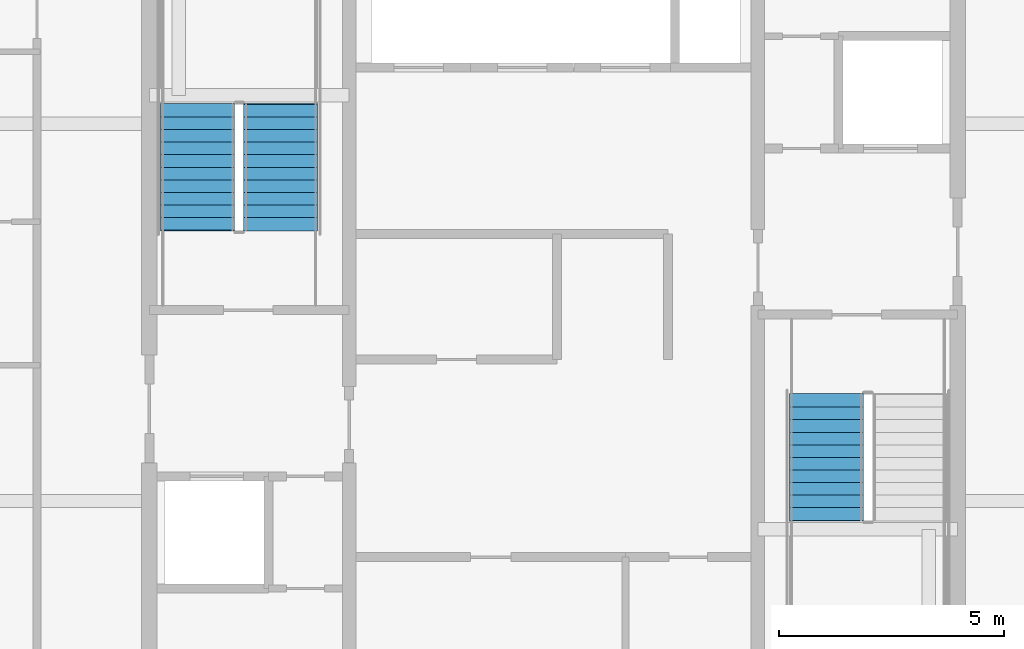
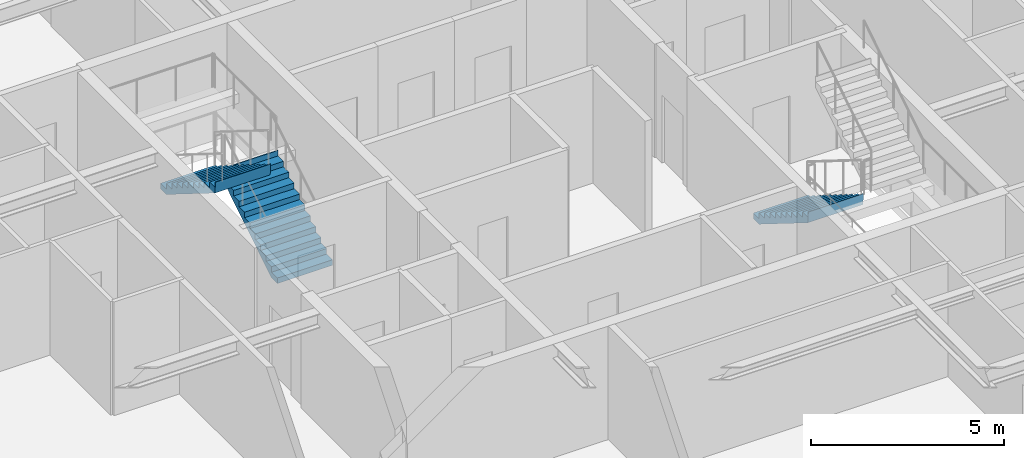
# One storey, part 29 of 35: 3 stair flights, 2 elements without a shape of their own.
"""IFC4 building model written with IfcOpenShell, lengths in metres."""

import ifcopenshell
import ifcopenshell.guid

model = None  # the IFC model being written
_history = None  # IfcOwnerHistory: only IFC2X3 demands one
_inside = {}  # id of a spatial element -> (the spatial element, [elements in it])
_under = {}  # id of a project, library or spatial element -> (it, [spatial elements below it])
_declared = {}  # id of a project -> (the project, [libraries it declares])
_typed = {}  # id of a type object -> (the type object, [elements of that type])
_made_of = {}  # id of a material, layer set ... -> (it, [elements and type objects made of it])


def new_model(schema):
    """Start an empty IFC model of exactly this schema.

    Asked for "IFC4X3", IfcOpenShell would pick the latest addendum, in which some entities
    have other attributes; the version numbers below select the first issue.
    IFC2X3 requires an IfcOwnerHistory on every rooted entity: one is made here for all.
    """
    global model, _history
    if schema == "IFC4X3":
        model = ifcopenshell.file(schema_version=(4, 3, 0, 0))
    else:
        model = ifcopenshell.file(schema=schema)
    _inside.clear()
    _under.clear()
    _declared.clear()
    _typed.clear()
    _made_of.clear()
    _history = None
    if model.schema == "IFC2X3":
        org = make("IfcOrganization", Name="unknown")
        user = make(
            "IfcPersonAndOrganization",
            ThePerson=make("IfcPerson", FamilyName="unknown"),
            TheOrganization=org,
        )
        app = make(
            "IfcApplication",
            ApplicationDeveloper=org,
            Version="unknown",
            ApplicationFullName="unknown",
            ApplicationIdentifier="unknown",
        )
        _history = make(
            "IfcOwnerHistory",
            OwningUser=user,
            OwningApplication=app,
            ChangeAction="ADDED",
            CreationDate=0,
        )
    return model


def make(cls, **values):
    """One entity of the class cls with the attributes given. An attribute that is None is left unset."""
    return model.create_entity(
        cls, **{name: value for name, value in values.items() if value is not None}
    )


def rooted(cls, **values):
    """An entity with a GlobalId (a new one), such as an element, a storey or a relation."""
    return make(cls, GlobalId=ifcopenshell.guid.new(), OwnerHistory=_history, **values)


def si_unit(unit_type, name, prefix=None):
    """IfcSIUnit, for example si_unit("LENGTHUNIT", "METRE", prefix="MILLI")."""
    return make("IfcSIUnit", UnitType=unit_type, Prefix=prefix, Name=name)


def assignment(units):
    """IfcUnitAssignment: the units of a project."""
    return None if units is None else make("IfcUnitAssignment", Units=units)


def point(xyz):
    """IfcCartesianPoint."""
    return None if xyz is None else make("IfcCartesianPoint", Coordinates=xyz)


def direction(xyz):
    """IfcDirection."""
    return None if xyz is None else make("IfcDirection", DirectionRatios=xyz)


def frame(location, z_axis=None, x_axis=None):
    """IfcAxis2Placement3D, a coordinate frame: its origin and axes. An axis left out is left unset."""
    return make(
        "IfcAxis2Placement3D",
        Location=point(location),
        Axis=direction(z_axis),
        RefDirection=direction(x_axis),
    )


def origin():
    """The frame at (0, 0, 0) with its axes left unset."""
    return frame((0.0, 0.0, 0.0))


def place(relative_to, where):
    """IfcLocalPlacement: puts the frame where relative to a parent placement (None: the world)."""
    return make(
        "IfcLocalPlacement", PlacementRelTo=relative_to, RelativePlacement=where
    )


def context(
    kind, dimensions, precision=None, world=None, true_north=None, identifier=None
):
    """IfcGeometricRepresentationContext, for example the 3D "Model" context."""
    return make(
        "IfcGeometricRepresentationContext",
        ContextIdentifier=identifier,
        ContextType=kind,
        CoordinateSpaceDimension=dimensions,
        Precision=precision,
        WorldCoordinateSystem=world,
        TrueNorth=true_north,
    )


def subcontext(parent, identifier, kind, view, scale=None):
    """IfcGeometricRepresentationSubContext, for example "Body" below "Model"."""
    return make(
        "IfcGeometricRepresentationSubContext",
        ContextIdentifier=identifier,
        ContextType=kind,
        ParentContext=parent,
        TargetScale=scale,
        TargetView=view,
    )


def project(units=None, contexts=None):
    """IfcProject with its units and contexts."""
    return rooted(
        "IfcProject",
        Name="project",
        RepresentationContexts=contexts,
        UnitsInContext=assignment(units),
    )


def spatial(cls, under=None, at=None, **own):
    """A site, building, storey or space (cls), placed at a placement, below another one or the project."""
    s = rooted(cls, ObjectPlacement=at, **own)
    if under is not None:
        _under.setdefault(under.id(), (under, []))[1].append(s)
    return s


def point_list(points):
    """IfcCartesianPointList2D or 3D."""
    cls = (
        "IfcCartesianPointList2D" if len(points[0]) == 2 else "IfcCartesianPointList3D"
    )
    return make(cls, CoordList=points)


def polygons(points, faces, closed=None, point_numbers=None):
    """IfcPolygonalFaceSet: a face is its outer loop, then its inner loops; points numbered from 1."""
    made = []
    for loops in faces:
        if len(loops) == 1:
            made.append(make("IfcIndexedPolygonalFace", CoordIndex=loops[0]))
        else:
            made.append(
                make(
                    "IfcIndexedPolygonalFaceWithVoids",
                    CoordIndex=loops[0],
                    InnerCoordIndices=loops[1:],
                )
            )
    return make(
        "IfcPolygonalFaceSet",
        Coordinates=point_list(points),
        Closed=closed,
        Faces=made,
        PnIndex=point_numbers,
    )


def shape(context_of_items, identifier, shape_type, items):
    """IfcShapeRepresentation: the items that make up one representation, for example the "Body"."""
    return make(
        "IfcShapeRepresentation",
        ContextOfItems=context_of_items,
        RepresentationIdentifier=identifier,
        RepresentationType=shape_type,
        Items=items,
    )


def material(Name=None, Category=None):
    """IfcMaterial."""
    return make("IfcMaterial", Name=Name, Category=Category)


def made_of(thing, what):
    """Note that an element or type object is made of a material, layer set ...; save() writes the relation."""
    if what is not None:
        _made_of.setdefault(what.id(), (what, []))[1].append(thing)
    return thing


def type_object(cls, material=None, **own):
    """A type object (cls), such as IfcWallType, which elements share."""
    return made_of(rooted(cls, **own), material)


def element(
    cls,
    number,
    at=None,
    inside=None,
    cuts=None,
    type_object=None,
    material=None,
    context=None,
    identifier="Body",
    shape_type=None,
    held_by="IfcProductDefinitionShape",
    body=None,
    shapes=None,
    **own,
):
    """One element of the class cls, such as IfcWall. Its Tag is "e" and its number.

    at: its placement. inside: the storey or other place that contains it. cuts: it is an
    opening in that element (IfcRelVoidsElement). A single representation is given by context,
    identifier, shape_type and body (its items); several are given by shapes. held_by: the class
    of the entity that holds the representations. save() writes the other relations.
    """
    e = rooted(cls, Tag="e%d" % number, ObjectPlacement=at, **own)
    if body is not None:
        shapes = [shape(context, identifier, shape_type, body)]
    if shapes is not None:
        e.Representation = make(held_by, Representations=shapes)
    if inside is not None:
        _inside.setdefault(inside.id(), (inside, []))[1].append(e)
    if cuts is not None:
        rooted(
            "IfcRelVoidsElement", RelatingBuildingElement=cuts, RelatedOpeningElement=e
        )
    if type_object is not None:
        _typed.setdefault(type_object.id(), (type_object, []))[1].append(e)
    return made_of(e, material)


def aggregate(whole, parts):
    """IfcRelAggregates: a whole, such as a stair, and the parts it consists of."""
    return rooted("IfcRelAggregates", RelatingObject=whole, RelatedObjects=parts)


def save(model, path):
    """Write the relations noted so far, then the file.

    IfcRelAggregates (storeys below a building ...), IfcRelContainedInSpatialStructure (elements
    in a storey), IfcRelDefinesByType, IfcRelAssociatesMaterial and IfcRelDeclares: one each for
    every whole, place, type object, material and project.
    """
    for whole, parts in _under.values():
        aggregate(whole, parts)
    for where, things in _inside.values():
        rooted(
            "IfcRelContainedInSpatialStructure",
            RelatedElements=things,
            RelatingStructure=where,
        )
    for kind, things in _typed.values():
        rooted("IfcRelDefinesByType", RelatedObjects=things, RelatingType=kind)
    for what, things in _made_of.values():
        rooted("IfcRelAssociatesMaterial", RelatedObjects=things, RelatingMaterial=what)
    for by, libraries in _declared.values():
        rooted("IfcRelDeclares", RelatingContext=by, RelatedDefinitions=libraries)
    model.write(path)


model = new_model("IFC4")

# Units and contexts
model_context = context("Model", 3, precision=1e-05, world=origin(), true_north=direction((0.0, 1.0)))
body_context = subcontext(model_context, "Body", "Model", "MODEL_VIEW")
ifc_project = project(units=[si_unit("LENGTHUNIT", "METRE"), si_unit("AREAUNIT", "SQUARE_METRE"), si_unit("VOLUMEUNIT", "CUBIC_METRE"), si_unit("PLANEANGLEUNIT", "RADIAN"), si_unit("MASSUNIT", "GRAM", prefix="KILO")], contexts=[model_context])

# Site, building, storey
site_placement = place(None, origin())
site = spatial("IfcSite", under=ifc_project, at=site_placement, CompositionType="ELEMENT")
building_placement = place(site_placement, origin())
building = spatial("IfcBuilding", under=site, at=building_placement, Name="Serunith Strait Residences", CompositionType="ELEMENT")
storey_placement = place(building_placement, frame((0.0, 0.0, 214.300048828125)))
storey = spatial("IfcBuildingStorey", under=building, at=storey_placement, Name="L53", CompositionType="ELEMENT", Elevation=214.300048828125)

# Stair, stair flights
ifc_material = material(Name="Concrete C50/60", Category="concrete")
stair_type_1 = type_object("IfcStairType", Name="STR-CORE-1", PredefinedType="HALF_TURN_STAIR", material=ifc_material)
stair_1_placement = place(storey_placement, origin())
stair_1 = element("IfcStair", 1, at=stair_1_placement, inside=storey, type_object=stair_type_1, Name="L53 Protected Escape Stair ST-1", PredefinedType="HALF_TURN_STAIR")
stair_flight_type_1 = type_object("IfcStairFlightType", Name="FLT-CORE-1", PredefinedType="STRAIGHT", material=ifc_material)
stair_flight_1_placement = place(storey_placement, frame((26.324951171875, 27.030029296875, 0.0), z_axis=(0.0, 0.0, 1.0), x_axis=(0.0, 1.0, 0.0)))
stair_flight_1 = element("IfcStairFlight", 2, at=stair_flight_1_placement, type_object=stair_flight_type_1, Name="ST-1 flight 1", NumberOfRisers=11, NumberOfTreads=10, PredefinedType="STRAIGHT", RiserHeight=0.175, TreadLength=0.28, context=body_context, shape_type="Tessellation", body=[
    polygons([(-0.02001953125, -0.824951171875, 0.0), (-0.02001953125, -0.824951171875, 0.175048828125), (0.280029296875, -0.824951171875, 0.175048828125), (0.280029296875, -0.824951171875, 0.35009765625), (0.56005859375, -0.824951171875, 0.35009765625), (0.56005859375, -0.824951171875, 0.52490234375), (0.840087890625, -0.824951171875, 0.52490234375), (0.840087890625, -0.824951171875, 0.699951171875), (1.1201171875, -0.824951171875, 0.699951171875), (1.1201171875, -0.824951171875, 0.875), (1.39990234375, -0.824951171875, 0.875), (1.39990234375, -0.824951171875, 1.050048828125), (1.679931640625, -0.824951171875, 1.050048828125), (1.679931640625, -0.824951171875, 1.22509765625), (1.9599609375, -0.824951171875, 1.22509765625), (1.9599609375, -0.824951171875, 1.39990234375), (2.239990234375, -0.824951171875, 1.39990234375), (2.239990234375, -0.824951171875, 1.574951171875), (2.52001953125, -0.824951171875, 1.574951171875), (2.52001953125, -0.824951171875, 1.75), (2.800048828125, -0.824951171875, 1.75), (2.800048828125, -0.824951171875, 1.925048828125), (2.820068359375, -0.824951171875, 1.925048828125), (2.820068359375, -0.824951171875, 1.864990234375), (2.800048828125, -0.824951171875, 1.5732421875), (0.28271484375, -0.824951171875, 0.0), (-0.02001953125, -0.41259765625, 0.0), (-0.02001953125, -0.41259765625, 0.175048828125), (0.280029296875, -0.41259765625, 0.175048828125), (0.280029296875, -0.41259765625, 0.35009765625), (0.56005859375, -0.41259765625, 0.35009765625), (0.56005859375, -0.41259765625, 0.52490234375), (0.840087890625, -0.41259765625, 0.52490234375), (0.840087890625, -0.41259765625, 0.699951171875), (1.1201171875, -0.41259765625, 0.699951171875), (1.1201171875, -0.41259765625, 0.875), (1.39990234375, -0.41259765625, 0.875), (1.39990234375, -0.41259765625, 1.050048828125), (1.679931640625, -0.41259765625, 1.050048828125), (1.679931640625, -0.41259765625, 1.22509765625), (1.9599609375, -0.41259765625, 1.22509765625), (1.9599609375, -0.41259765625, 1.39990234375), (2.239990234375, -0.41259765625, 1.39990234375), (2.239990234375, -0.41259765625, 1.574951171875), (2.52001953125, -0.41259765625, 1.574951171875), (2.52001953125, -0.41259765625, 1.75), (2.800048828125, -0.41259765625, 1.75), (2.800048828125, -0.41259765625, 1.925048828125), (2.820068359375, -0.41259765625, 1.925048828125), (2.820068359375, -0.41259765625, 1.864990234375), (2.800048828125, -0.41259765625, 1.5732421875), (0.28271484375, -0.41259765625, 0.0), (-0.02001953125, 0.0, 0.0), (-0.02001953125, 0.0, 0.175048828125), (0.280029296875, 0.0, 0.175048828125), (0.280029296875, 0.0, 0.35009765625), (0.56005859375, 0.0, 0.35009765625), (0.56005859375, 0.0, 0.52490234375), (0.840087890625, 0.0, 0.52490234375), (0.840087890625, 0.0, 0.699951171875), (1.1201171875, 0.0, 0.699951171875), (1.1201171875, 0.0, 0.875), (1.39990234375, 0.0, 0.875), (1.39990234375, 0.0, 1.050048828125), (1.679931640625, 0.0, 1.050048828125), (1.679931640625, 0.0, 1.22509765625), (1.9599609375, 0.0, 1.22509765625), (1.9599609375, 0.0, 1.39990234375), (2.239990234375, 0.0, 1.39990234375), (2.239990234375, 0.0, 1.574951171875), (2.52001953125, 0.0, 1.574951171875), (2.52001953125, 0.0, 1.75), (2.800048828125, 0.0, 1.75), (2.800048828125, 0.0, 1.925048828125), (2.820068359375, 0.0, 1.925048828125), (2.820068359375, 0.0, 1.864990234375), (2.800048828125, 0.0, 1.5732421875), (0.28271484375, 0.0, 0.0), (-0.02001953125, 0.41259765625, 0.0), (-0.02001953125, 0.41259765625, 0.175048828125), (0.280029296875, 0.41259765625, 0.175048828125), (0.280029296875, 0.41259765625, 0.35009765625), (0.56005859375, 0.41259765625, 0.35009765625), (0.56005859375, 0.41259765625, 0.52490234375), (0.840087890625, 0.41259765625, 0.52490234375), (0.840087890625, 0.41259765625, 0.699951171875), (1.1201171875, 0.41259765625, 0.699951171875), (1.1201171875, 0.41259765625, 0.875), (1.39990234375, 0.41259765625, 0.875), (1.39990234375, 0.41259765625, 1.050048828125), (1.679931640625, 0.41259765625, 1.050048828125), (1.679931640625, 0.41259765625, 1.22509765625), (1.9599609375, 0.41259765625, 1.22509765625), (1.9599609375, 0.41259765625, 1.39990234375), (2.239990234375, 0.41259765625, 1.39990234375), (2.239990234375, 0.41259765625, 1.574951171875), (2.52001953125, 0.41259765625, 1.574951171875), (2.52001953125, 0.41259765625, 1.75), (2.800048828125, 0.41259765625, 1.75), (2.800048828125, 0.41259765625, 1.925048828125), (2.820068359375, 0.41259765625, 1.925048828125), (2.820068359375, 0.41259765625, 1.864990234375), (2.800048828125, 0.41259765625, 1.5732421875), (0.28271484375, 0.41259765625, 0.0), (-0.02001953125, 0.824951171875, 0.0), (-0.02001953125, 0.824951171875, 0.175048828125), (0.280029296875, 0.824951171875, 0.175048828125), (0.280029296875, 0.824951171875, 0.35009765625), (0.56005859375, 0.824951171875, 0.35009765625), (0.56005859375, 0.824951171875, 0.52490234375), (0.840087890625, 0.824951171875, 0.52490234375), (0.840087890625, 0.824951171875, 0.699951171875), (1.1201171875, 0.824951171875, 0.699951171875), (1.1201171875, 0.824951171875, 0.875), (1.39990234375, 0.824951171875, 0.875), (1.39990234375, 0.824951171875, 1.050048828125), (1.679931640625, 0.824951171875, 1.050048828125), (1.679931640625, 0.824951171875, 1.22509765625), (1.9599609375, 0.824951171875, 1.22509765625), (1.9599609375, 0.824951171875, 1.39990234375), (2.239990234375, 0.824951171875, 1.39990234375), (2.239990234375, 0.824951171875, 1.574951171875), (2.52001953125, 0.824951171875, 1.574951171875), (2.52001953125, 0.824951171875, 1.75), (2.800048828125, 0.824951171875, 1.75), (2.800048828125, 0.824951171875, 1.925048828125), (2.820068359375, 0.824951171875, 1.925048828125), (2.820068359375, 0.824951171875, 1.864990234375), (2.800048828125, 0.824951171875, 1.5732421875), (0.28271484375, 0.824951171875, 0.0)], [[[1, 2, 28, 27]], [[2, 3, 29, 28]], [[3, 4, 30, 29]], [[4, 5, 31, 30]], [[5, 6, 32, 31]], [[6, 7, 33, 32]], [[7, 8, 34, 33]], [[8, 9, 35, 34]], [[9, 10, 36, 35]], [[10, 11, 37, 36]], [[11, 12, 38, 37]], [[12, 13, 39, 38]], [[13, 14, 40, 39]], [[14, 15, 41, 40]], [[15, 16, 42, 41]], [[16, 17, 43, 42]], [[17, 18, 44, 43]], [[18, 19, 45, 44]], [[19, 20, 46, 45]], [[20, 21, 47, 46]], [[21, 22, 48, 47]], [[22, 23, 49, 48]], [[23, 24, 50, 49]], [[24, 25, 51, 50]], [[25, 26, 52, 51]], [[26, 1, 27, 52]], [[27, 28, 54, 53]], [[28, 29, 55, 54]], [[29, 30, 56, 55]], [[30, 31, 57, 56]], [[31, 32, 58, 57]], [[32, 33, 59, 58]], [[33, 34, 60, 59]], [[34, 35, 61, 60]], [[35, 36, 62, 61]], [[36, 37, 63, 62]], [[37, 38, 64, 63]], [[38, 39, 65, 64]], [[39, 40, 66, 65]], [[40, 41, 67, 66]], [[41, 42, 68, 67]], [[42, 43, 69, 68]], [[43, 44, 70, 69]], [[44, 45, 71, 70]], [[45, 46, 72, 71]], [[46, 47, 73, 72]], [[47, 48, 74, 73]], [[48, 49, 75, 74]], [[49, 50, 76, 75]], [[50, 51, 77, 76]], [[51, 52, 78, 77]], [[52, 27, 53, 78]], [[53, 54, 80, 79]], [[54, 55, 81, 80]], [[55, 56, 82, 81]], [[56, 57, 83, 82]], [[57, 58, 84, 83]], [[58, 59, 85, 84]], [[59, 60, 86, 85]], [[60, 61, 87, 86]], [[61, 62, 88, 87]], [[62, 63, 89, 88]], [[63, 64, 90, 89]], [[64, 65, 91, 90]], [[65, 66, 92, 91]], [[66, 67, 93, 92]], [[67, 68, 94, 93]], [[68, 69, 95, 94]], [[69, 70, 96, 95]], [[70, 71, 97, 96]], [[71, 72, 98, 97]], [[72, 73, 99, 98]], [[73, 74, 100, 99]], [[74, 75, 101, 100]], [[75, 76, 102, 101]], [[76, 77, 103, 102]], [[77, 78, 104, 103]], [[78, 53, 79, 104]], [[79, 80, 106, 105]], [[80, 81, 107, 106]], [[81, 82, 108, 107]], [[82, 83, 109, 108]], [[83, 84, 110, 109]], [[84, 85, 111, 110]], [[85, 86, 112, 111]], [[86, 87, 113, 112]], [[87, 88, 114, 113]], [[88, 89, 115, 114]], [[89, 90, 116, 115]], [[90, 91, 117, 116]], [[91, 92, 118, 117]], [[92, 93, 119, 118]], [[93, 94, 120, 119]], [[94, 95, 121, 120]], [[95, 96, 122, 121]], [[96, 97, 123, 122]], [[97, 98, 124, 123]], [[98, 99, 125, 124]], [[99, 100, 126, 125]], [[100, 101, 127, 126]], [[101, 102, 128, 127]], [[102, 103, 129, 128]], [[103, 104, 130, 129]], [[104, 79, 105, 130]], [[26, 25, 24, 23, 22, 21, 20, 19, 18, 17, 16, 15, 14, 13, 12, 11, 10, 9, 8, 7, 6, 5, 4, 3, 2, 1]], [[105, 106, 107, 108, 109, 110, 111, 112, 113, 114, 115, 116, 117, 118, 119, 120, 121, 122, 123, 124, 125, 126, 127, 128, 129, 130]]], closed=True),
])
stair_flight_2_placement = place(storey_placement, frame((24.47509765625, 29.830078125, 1.925048828125), z_axis=(0.0, 0.0, 1.0), x_axis=(0.0, -1.0, 0.0)))
stair_flight_2 = element("IfcStairFlight", 3, at=stair_flight_2_placement, type_object=stair_flight_type_1, Name="ST-1 flight 2", NumberOfRisers=11, NumberOfTreads=10, PredefinedType="STRAIGHT", RiserHeight=0.175, TreadLength=0.28, context=body_context, shape_type="Tessellation", body=[
    polygons([(-0.02001953125, -0.824951171875, 0.0), (-0.02001953125, -0.824951171875, 0.175048828125), (0.280029296875, -0.824951171875, 0.175048828125), (0.280029296875, -0.824951171875, 0.35009765625), (0.56005859375, -0.824951171875, 0.35009765625), (0.56005859375, -0.824951171875, 0.52490234375), (0.840087890625, -0.824951171875, 0.52490234375), (0.840087890625, -0.824951171875, 0.699951171875), (1.1201171875, -0.824951171875, 0.699951171875), (1.1201171875, -0.824951171875, 0.875), (1.39990234375, -0.824951171875, 0.875), (1.39990234375, -0.824951171875, 1.050048828125), (1.679931640625, -0.824951171875, 1.050048828125), (1.679931640625, -0.824951171875, 1.22509765625), (1.9599609375, -0.824951171875, 1.22509765625), (1.9599609375, -0.824951171875, 1.39990234375), (2.239990234375, -0.824951171875, 1.39990234375), (2.239990234375, -0.824951171875, 1.574951171875), (2.52001953125, -0.824951171875, 1.574951171875), (2.52001953125, -0.824951171875, 1.75), (2.800048828125, -0.824951171875, 1.75), (2.800048828125, -0.824951171875, 1.925048828125), (2.820068359375, -0.824951171875, 1.925048828125), (2.820068359375, -0.824951171875, 1.864990234375), (2.800048828125, -0.824951171875, 1.5732421875), (0.28271484375, -0.824951171875, 0.0), (-0.02001953125, -0.41259765625, 0.0), (-0.02001953125, -0.41259765625, 0.175048828125), (0.280029296875, -0.41259765625, 0.175048828125), (0.280029296875, -0.41259765625, 0.35009765625), (0.56005859375, -0.41259765625, 0.35009765625), (0.56005859375, -0.41259765625, 0.52490234375), (0.840087890625, -0.41259765625, 0.52490234375), (0.840087890625, -0.41259765625, 0.699951171875), (1.1201171875, -0.41259765625, 0.699951171875), (1.1201171875, -0.41259765625, 0.875), (1.39990234375, -0.41259765625, 0.875), (1.39990234375, -0.41259765625, 1.050048828125), (1.679931640625, -0.41259765625, 1.050048828125), (1.679931640625, -0.41259765625, 1.22509765625), (1.9599609375, -0.41259765625, 1.22509765625), (1.9599609375, -0.41259765625, 1.39990234375), (2.239990234375, -0.41259765625, 1.39990234375), (2.239990234375, -0.41259765625, 1.574951171875), (2.52001953125, -0.41259765625, 1.574951171875), (2.52001953125, -0.41259765625, 1.75), (2.800048828125, -0.41259765625, 1.75), (2.800048828125, -0.41259765625, 1.925048828125), (2.820068359375, -0.41259765625, 1.925048828125), (2.820068359375, -0.41259765625, 1.864990234375), (2.800048828125, -0.41259765625, 1.5732421875), (0.28271484375, -0.41259765625, 0.0), (-0.02001953125, 0.0, 0.0), (-0.02001953125, 0.0, 0.175048828125), (0.280029296875, 0.0, 0.175048828125), (0.280029296875, 0.0, 0.35009765625), (0.56005859375, 0.0, 0.35009765625), (0.56005859375, 0.0, 0.52490234375), (0.840087890625, 0.0, 0.52490234375), (0.840087890625, 0.0, 0.699951171875), (1.1201171875, 0.0, 0.699951171875), (1.1201171875, 0.0, 0.875), (1.39990234375, 0.0, 0.875), (1.39990234375, 0.0, 1.050048828125), (1.679931640625, 0.0, 1.050048828125), (1.679931640625, 0.0, 1.22509765625), (1.9599609375, 0.0, 1.22509765625), (1.9599609375, 0.0, 1.39990234375), (2.239990234375, 0.0, 1.39990234375), (2.239990234375, 0.0, 1.574951171875), (2.52001953125, 0.0, 1.574951171875), (2.52001953125, 0.0, 1.75), (2.800048828125, 0.0, 1.75), (2.800048828125, 0.0, 1.925048828125), (2.820068359375, 0.0, 1.925048828125), (2.820068359375, 0.0, 1.864990234375), (2.800048828125, 0.0, 1.5732421875), (0.28271484375, 0.0, 0.0), (-0.02001953125, 0.41259765625, 0.0), (-0.02001953125, 0.41259765625, 0.175048828125), (0.280029296875, 0.41259765625, 0.175048828125), (0.280029296875, 0.41259765625, 0.35009765625), (0.56005859375, 0.41259765625, 0.35009765625), (0.56005859375, 0.41259765625, 0.52490234375), (0.840087890625, 0.41259765625, 0.52490234375), (0.840087890625, 0.41259765625, 0.699951171875), (1.1201171875, 0.41259765625, 0.699951171875), (1.1201171875, 0.41259765625, 0.875), (1.39990234375, 0.41259765625, 0.875), (1.39990234375, 0.41259765625, 1.050048828125), (1.679931640625, 0.41259765625, 1.050048828125), (1.679931640625, 0.41259765625, 1.22509765625), (1.9599609375, 0.41259765625, 1.22509765625), (1.9599609375, 0.41259765625, 1.39990234375), (2.239990234375, 0.41259765625, 1.39990234375), (2.239990234375, 0.41259765625, 1.574951171875), (2.52001953125, 0.41259765625, 1.574951171875), (2.52001953125, 0.41259765625, 1.75), (2.800048828125, 0.41259765625, 1.75), (2.800048828125, 0.41259765625, 1.925048828125), (2.820068359375, 0.41259765625, 1.925048828125), (2.820068359375, 0.41259765625, 1.864990234375), (2.800048828125, 0.41259765625, 1.5732421875), (0.28271484375, 0.41259765625, 0.0), (-0.02001953125, 0.824951171875, 0.0), (-0.02001953125, 0.824951171875, 0.175048828125), (0.280029296875, 0.824951171875, 0.175048828125), (0.280029296875, 0.824951171875, 0.35009765625), (0.56005859375, 0.824951171875, 0.35009765625), (0.56005859375, 0.824951171875, 0.52490234375), (0.840087890625, 0.824951171875, 0.52490234375), (0.840087890625, 0.824951171875, 0.699951171875), (1.1201171875, 0.824951171875, 0.699951171875), (1.1201171875, 0.824951171875, 0.875), (1.39990234375, 0.824951171875, 0.875), (1.39990234375, 0.824951171875, 1.050048828125), (1.679931640625, 0.824951171875, 1.050048828125), (1.679931640625, 0.824951171875, 1.22509765625), (1.9599609375, 0.824951171875, 1.22509765625), (1.9599609375, 0.824951171875, 1.39990234375), (2.239990234375, 0.824951171875, 1.39990234375), (2.239990234375, 0.824951171875, 1.574951171875), (2.52001953125, 0.824951171875, 1.574951171875), (2.52001953125, 0.824951171875, 1.75), (2.800048828125, 0.824951171875, 1.75), (2.800048828125, 0.824951171875, 1.925048828125), (2.820068359375, 0.824951171875, 1.925048828125), (2.820068359375, 0.824951171875, 1.864990234375), (2.800048828125, 0.824951171875, 1.5732421875), (0.28271484375, 0.824951171875, 0.0)], [[[1, 2, 28, 27]], [[2, 3, 29, 28]], [[3, 4, 30, 29]], [[4, 5, 31, 30]], [[5, 6, 32, 31]], [[6, 7, 33, 32]], [[7, 8, 34, 33]], [[8, 9, 35, 34]], [[9, 10, 36, 35]], [[10, 11, 37, 36]], [[11, 12, 38, 37]], [[12, 13, 39, 38]], [[13, 14, 40, 39]], [[14, 15, 41, 40]], [[15, 16, 42, 41]], [[16, 17, 43, 42]], [[17, 18, 44, 43]], [[18, 19, 45, 44]], [[19, 20, 46, 45]], [[20, 21, 47, 46]], [[21, 22, 48, 47]], [[22, 23, 49, 48]], [[23, 24, 50, 49]], [[24, 25, 51, 50]], [[25, 26, 52, 51]], [[26, 1, 27, 52]], [[27, 28, 54, 53]], [[28, 29, 55, 54]], [[29, 30, 56, 55]], [[30, 31, 57, 56]], [[31, 32, 58, 57]], [[32, 33, 59, 58]], [[33, 34, 60, 59]], [[34, 35, 61, 60]], [[35, 36, 62, 61]], [[36, 37, 63, 62]], [[37, 38, 64, 63]], [[38, 39, 65, 64]], [[39, 40, 66, 65]], [[40, 41, 67, 66]], [[41, 42, 68, 67]], [[42, 43, 69, 68]], [[43, 44, 70, 69]], [[44, 45, 71, 70]], [[45, 46, 72, 71]], [[46, 47, 73, 72]], [[47, 48, 74, 73]], [[48, 49, 75, 74]], [[49, 50, 76, 75]], [[50, 51, 77, 76]], [[51, 52, 78, 77]], [[52, 27, 53, 78]], [[53, 54, 80, 79]], [[54, 55, 81, 80]], [[55, 56, 82, 81]], [[56, 57, 83, 82]], [[57, 58, 84, 83]], [[58, 59, 85, 84]], [[59, 60, 86, 85]], [[60, 61, 87, 86]], [[61, 62, 88, 87]], [[62, 63, 89, 88]], [[63, 64, 90, 89]], [[64, 65, 91, 90]], [[65, 66, 92, 91]], [[66, 67, 93, 92]], [[67, 68, 94, 93]], [[68, 69, 95, 94]], [[69, 70, 96, 95]], [[70, 71, 97, 96]], [[71, 72, 98, 97]], [[72, 73, 99, 98]], [[73, 74, 100, 99]], [[74, 75, 101, 100]], [[75, 76, 102, 101]], [[76, 77, 103, 102]], [[77, 78, 104, 103]], [[78, 53, 79, 104]], [[79, 80, 106, 105]], [[80, 81, 107, 106]], [[81, 82, 108, 107]], [[82, 83, 109, 108]], [[83, 84, 110, 109]], [[84, 85, 111, 110]], [[85, 86, 112, 111]], [[86, 87, 113, 112]], [[87, 88, 114, 113]], [[88, 89, 115, 114]], [[89, 90, 116, 115]], [[90, 91, 117, 116]], [[91, 92, 118, 117]], [[92, 93, 119, 118]], [[93, 94, 120, 119]], [[94, 95, 121, 120]], [[95, 96, 122, 121]], [[96, 97, 123, 122]], [[97, 98, 124, 123]], [[98, 99, 125, 124]], [[99, 100, 126, 125]], [[100, 101, 127, 126]], [[101, 102, 128, 127]], [[102, 103, 129, 128]], [[103, 104, 130, 129]], [[104, 79, 105, 130]], [[26, 25, 24, 23, 22, 21, 20, 19, 18, 17, 16, 15, 14, 13, 12, 11, 10, 9, 8, 7, 6, 5, 4, 3, 2, 1]], [[105, 106, 107, 108, 109, 110, 111, 112, 113, 114, 115, 116, 117, 118, 119, 120, 121, 122, 123, 124, 125, 126, 127, 128, 129, 130]]], closed=True),
])
aggregate(stair_1, [stair_flight_1, stair_flight_2])

# Stair, stair flight
stair_type_2 = type_object("IfcStairType", Name="STR-CORE-2", PredefinedType="HALF_TURN_STAIR", material=ifc_material)
stair_2_placement = place(storey_placement, origin())
stair_2 = element("IfcStair", 4, at=stair_2_placement, inside=storey, type_object=stair_type_2, Name="L53 Protected Escape Stair ST-2", PredefinedType="HALF_TURN_STAIR")
stair_flight_type_2 = type_object("IfcStairFlightType", Name="FLT-CORE-2", PredefinedType="STRAIGHT", material=ifc_material)
stair_flight_3_placement = place(storey_placement, frame((38.47509765625, 23.3701171875, 0.0), z_axis=(0.0, 0.0, 1.0), x_axis=(0.0, -1.0, 0.0)))
stair_flight_3 = element("IfcStairFlight", 5, at=stair_flight_3_placement, type_object=stair_flight_type_2, Name="ST-2 flight 1", NumberOfRisers=11, NumberOfTreads=10, PredefinedType="STRAIGHT", RiserHeight=0.175, TreadLength=0.28, context=body_context, shape_type="Tessellation", body=[
    polygons([(-0.02001953125, -0.824951171875, 0.0), (-0.02001953125, -0.824951171875, 0.175048828125), (0.280029296875, -0.824951171875, 0.175048828125), (0.280029296875, -0.824951171875, 0.35009765625), (0.56005859375, -0.824951171875, 0.35009765625), (0.56005859375, -0.824951171875, 0.52490234375), (0.840087890625, -0.824951171875, 0.52490234375), (0.840087890625, -0.824951171875, 0.699951171875), (1.1201171875, -0.824951171875, 0.699951171875), (1.1201171875, -0.824951171875, 0.875), (1.39990234375, -0.824951171875, 0.875), (1.39990234375, -0.824951171875, 1.050048828125), (1.679931640625, -0.824951171875, 1.050048828125), (1.679931640625, -0.824951171875, 1.22509765625), (1.9599609375, -0.824951171875, 1.22509765625), (1.9599609375, -0.824951171875, 1.39990234375), (2.239990234375, -0.824951171875, 1.39990234375), (2.239990234375, -0.824951171875, 1.574951171875), (2.52001953125, -0.824951171875, 1.574951171875), (2.52001953125, -0.824951171875, 1.75), (2.800048828125, -0.824951171875, 1.75), (2.800048828125, -0.824951171875, 1.925048828125), (2.820068359375, -0.824951171875, 1.925048828125), (2.820068359375, -0.824951171875, 1.864990234375), (2.800048828125, -0.824951171875, 1.5732421875), (0.28271484375, -0.824951171875, 0.0), (-0.02001953125, -0.41259765625, 0.0), (-0.02001953125, -0.41259765625, 0.175048828125), (0.280029296875, -0.41259765625, 0.175048828125), (0.280029296875, -0.41259765625, 0.35009765625), (0.56005859375, -0.41259765625, 0.35009765625), (0.56005859375, -0.41259765625, 0.52490234375), (0.840087890625, -0.41259765625, 0.52490234375), (0.840087890625, -0.41259765625, 0.699951171875), (1.1201171875, -0.41259765625, 0.699951171875), (1.1201171875, -0.41259765625, 0.875), (1.39990234375, -0.41259765625, 0.875), (1.39990234375, -0.41259765625, 1.050048828125), (1.679931640625, -0.41259765625, 1.050048828125), (1.679931640625, -0.41259765625, 1.22509765625), (1.9599609375, -0.41259765625, 1.22509765625), (1.9599609375, -0.41259765625, 1.39990234375), (2.239990234375, -0.41259765625, 1.39990234375), (2.239990234375, -0.41259765625, 1.574951171875), (2.52001953125, -0.41259765625, 1.574951171875), (2.52001953125, -0.41259765625, 1.75), (2.800048828125, -0.41259765625, 1.75), (2.800048828125, -0.41259765625, 1.925048828125), (2.820068359375, -0.41259765625, 1.925048828125), (2.820068359375, -0.41259765625, 1.864990234375), (2.800048828125, -0.41259765625, 1.5732421875), (0.28271484375, -0.41259765625, 0.0), (-0.02001953125, 0.0, 0.0), (-0.02001953125, 0.0, 0.175048828125), (0.280029296875, 0.0, 0.175048828125), (0.280029296875, 0.0, 0.35009765625), (0.56005859375, 0.0, 0.35009765625), (0.56005859375, 0.0, 0.52490234375), (0.840087890625, 0.0, 0.52490234375), (0.840087890625, 0.0, 0.699951171875), (1.1201171875, 0.0, 0.699951171875), (1.1201171875, 0.0, 0.875), (1.39990234375, 0.0, 0.875), (1.39990234375, 0.0, 1.050048828125), (1.679931640625, 0.0, 1.050048828125), (1.679931640625, 0.0, 1.22509765625), (1.9599609375, 0.0, 1.22509765625), (1.9599609375, 0.0, 1.39990234375), (2.239990234375, 0.0, 1.39990234375), (2.239990234375, 0.0, 1.574951171875), (2.52001953125, 0.0, 1.574951171875), (2.52001953125, 0.0, 1.75), (2.800048828125, 0.0, 1.75), (2.800048828125, 0.0, 1.925048828125), (2.820068359375, 0.0, 1.925048828125), (2.820068359375, 0.0, 1.864990234375), (2.800048828125, 0.0, 1.5732421875), (0.28271484375, 0.0, 0.0), (-0.02001953125, 0.41259765625, 0.0), (-0.02001953125, 0.41259765625, 0.175048828125), (0.280029296875, 0.41259765625, 0.175048828125), (0.280029296875, 0.41259765625, 0.35009765625), (0.56005859375, 0.41259765625, 0.35009765625), (0.56005859375, 0.41259765625, 0.52490234375), (0.840087890625, 0.41259765625, 0.52490234375), (0.840087890625, 0.41259765625, 0.699951171875), (1.1201171875, 0.41259765625, 0.699951171875), (1.1201171875, 0.41259765625, 0.875), (1.39990234375, 0.41259765625, 0.875), (1.39990234375, 0.41259765625, 1.050048828125), (1.679931640625, 0.41259765625, 1.050048828125), (1.679931640625, 0.41259765625, 1.22509765625), (1.9599609375, 0.41259765625, 1.22509765625), (1.9599609375, 0.41259765625, 1.39990234375), (2.239990234375, 0.41259765625, 1.39990234375), (2.239990234375, 0.41259765625, 1.574951171875), (2.52001953125, 0.41259765625, 1.574951171875), (2.52001953125, 0.41259765625, 1.75), (2.800048828125, 0.41259765625, 1.75), (2.800048828125, 0.41259765625, 1.925048828125), (2.820068359375, 0.41259765625, 1.925048828125), (2.820068359375, 0.41259765625, 1.864990234375), (2.800048828125, 0.41259765625, 1.5732421875), (0.28271484375, 0.41259765625, 0.0), (-0.02001953125, 0.824951171875, 0.0), (-0.02001953125, 0.824951171875, 0.175048828125), (0.280029296875, 0.824951171875, 0.175048828125), (0.280029296875, 0.824951171875, 0.35009765625), (0.56005859375, 0.824951171875, 0.35009765625), (0.56005859375, 0.824951171875, 0.52490234375), (0.840087890625, 0.824951171875, 0.52490234375), (0.840087890625, 0.824951171875, 0.699951171875), (1.1201171875, 0.824951171875, 0.699951171875), (1.1201171875, 0.824951171875, 0.875), (1.39990234375, 0.824951171875, 0.875), (1.39990234375, 0.824951171875, 1.050048828125), (1.679931640625, 0.824951171875, 1.050048828125), (1.679931640625, 0.824951171875, 1.22509765625), (1.9599609375, 0.824951171875, 1.22509765625), (1.9599609375, 0.824951171875, 1.39990234375), (2.239990234375, 0.824951171875, 1.39990234375), (2.239990234375, 0.824951171875, 1.574951171875), (2.52001953125, 0.824951171875, 1.574951171875), (2.52001953125, 0.824951171875, 1.75), (2.800048828125, 0.824951171875, 1.75), (2.800048828125, 0.824951171875, 1.925048828125), (2.820068359375, 0.824951171875, 1.925048828125), (2.820068359375, 0.824951171875, 1.864990234375), (2.800048828125, 0.824951171875, 1.5732421875), (0.28271484375, 0.824951171875, 0.0)], [[[1, 2, 28, 27]], [[2, 3, 29, 28]], [[3, 4, 30, 29]], [[4, 5, 31, 30]], [[5, 6, 32, 31]], [[6, 7, 33, 32]], [[7, 8, 34, 33]], [[8, 9, 35, 34]], [[9, 10, 36, 35]], [[10, 11, 37, 36]], [[11, 12, 38, 37]], [[12, 13, 39, 38]], [[13, 14, 40, 39]], [[14, 15, 41, 40]], [[15, 16, 42, 41]], [[16, 17, 43, 42]], [[17, 18, 44, 43]], [[18, 19, 45, 44]], [[19, 20, 46, 45]], [[20, 21, 47, 46]], [[21, 22, 48, 47]], [[22, 23, 49, 48]], [[23, 24, 50, 49]], [[24, 25, 51, 50]], [[25, 26, 52, 51]], [[26, 1, 27, 52]], [[27, 28, 54, 53]], [[28, 29, 55, 54]], [[29, 30, 56, 55]], [[30, 31, 57, 56]], [[31, 32, 58, 57]], [[32, 33, 59, 58]], [[33, 34, 60, 59]], [[34, 35, 61, 60]], [[35, 36, 62, 61]], [[36, 37, 63, 62]], [[37, 38, 64, 63]], [[38, 39, 65, 64]], [[39, 40, 66, 65]], [[40, 41, 67, 66]], [[41, 42, 68, 67]], [[42, 43, 69, 68]], [[43, 44, 70, 69]], [[44, 45, 71, 70]], [[45, 46, 72, 71]], [[46, 47, 73, 72]], [[47, 48, 74, 73]], [[48, 49, 75, 74]], [[49, 50, 76, 75]], [[50, 51, 77, 76]], [[51, 52, 78, 77]], [[52, 27, 53, 78]], [[53, 54, 80, 79]], [[54, 55, 81, 80]], [[55, 56, 82, 81]], [[56, 57, 83, 82]], [[57, 58, 84, 83]], [[58, 59, 85, 84]], [[59, 60, 86, 85]], [[60, 61, 87, 86]], [[61, 62, 88, 87]], [[62, 63, 89, 88]], [[63, 64, 90, 89]], [[64, 65, 91, 90]], [[65, 66, 92, 91]], [[66, 67, 93, 92]], [[67, 68, 94, 93]], [[68, 69, 95, 94]], [[69, 70, 96, 95]], [[70, 71, 97, 96]], [[71, 72, 98, 97]], [[72, 73, 99, 98]], [[73, 74, 100, 99]], [[74, 75, 101, 100]], [[75, 76, 102, 101]], [[76, 77, 103, 102]], [[77, 78, 104, 103]], [[78, 53, 79, 104]], [[79, 80, 106, 105]], [[80, 81, 107, 106]], [[81, 82, 108, 107]], [[82, 83, 109, 108]], [[83, 84, 110, 109]], [[84, 85, 111, 110]], [[85, 86, 112, 111]], [[86, 87, 113, 112]], [[87, 88, 114, 113]], [[88, 89, 115, 114]], [[89, 90, 116, 115]], [[90, 91, 117, 116]], [[91, 92, 118, 117]], [[92, 93, 119, 118]], [[93, 94, 120, 119]], [[94, 95, 121, 120]], [[95, 96, 122, 121]], [[96, 97, 123, 122]], [[97, 98, 124, 123]], [[98, 99, 125, 124]], [[99, 100, 126, 125]], [[100, 101, 127, 126]], [[101, 102, 128, 127]], [[102, 103, 129, 128]], [[103, 104, 130, 129]], [[104, 79, 105, 130]], [[26, 25, 24, 23, 22, 21, 20, 19, 18, 17, 16, 15, 14, 13, 12, 11, 10, 9, 8, 7, 6, 5, 4, 3, 2, 1]], [[105, 106, 107, 108, 109, 110, 111, 112, 113, 114, 115, 116, 117, 118, 119, 120, 121, 122, 123, 124, 125, 126, 127, 128, 129, 130]]], closed=True),
])
aggregate(stair_2, [stair_flight_3])

save(model, "model.ifc")
